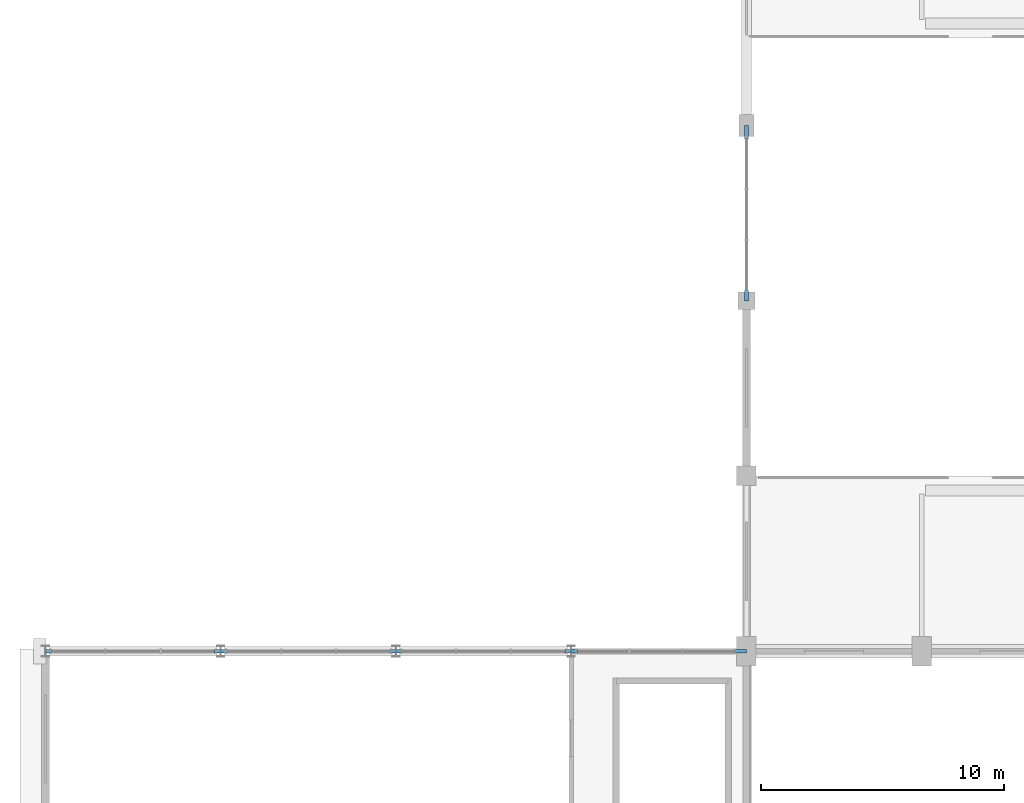
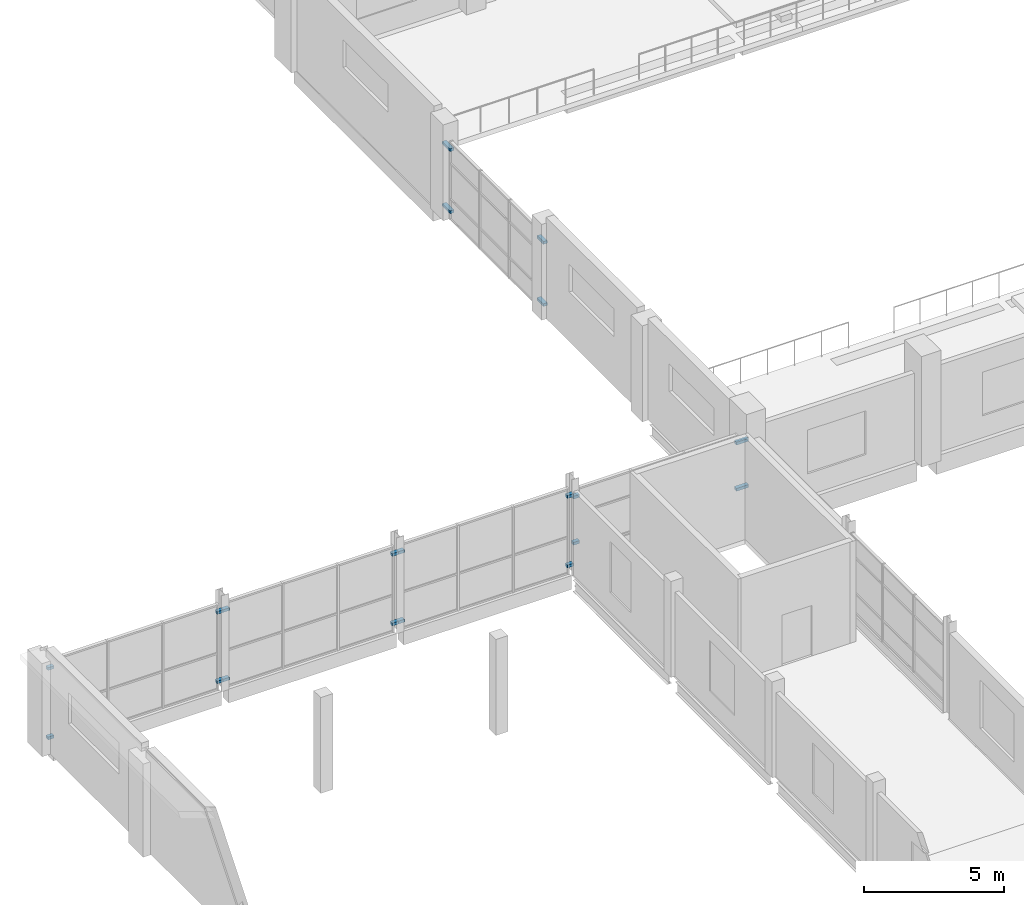
# One storey, part 56 of 71: 20 discrete accessories.
"""IFC4 building model written with IfcOpenShell, lengths in metres."""

from ifc_helpers import new_model, si_unit, direction, frame, origin, place, context, subcontext, project, spatial, rectangle, extrude, material, type_object, element, save


model = new_model("IFC4")

# Units and contexts
model_context = context("Model", 3, precision=1e-05, world=origin(), true_north=direction((0.0, 1.0)))
body_context = subcontext(model_context, "Body", "Model", "MODEL_VIEW")
ifc_project = project(units=[si_unit("LENGTHUNIT", "METRE"), si_unit("AREAUNIT", "SQUARE_METRE"), si_unit("VOLUMEUNIT", "CUBIC_METRE"), si_unit("PLANEANGLEUNIT", "RADIAN"), si_unit("MASSUNIT", "GRAM", prefix="KILO")], contexts=[model_context])

# Site, building, storey
site_placement = place(None, origin())
site = spatial("IfcSite", under=ifc_project, at=site_placement, CompositionType="ELEMENT")
building_placement = place(site_placement, origin())
building = spatial("IfcBuilding", under=site, at=building_placement, Name="Sardonyx Promenade Sports Hall", CompositionType="ELEMENT")
storey_placement = place(building_placement, frame((0.0, 0.0, 16.0)))
storey = spatial("IfcBuildingStorey", under=building, at=storey_placement, Name="L03", CompositionType="ELEMENT", Elevation=16.0)

# Discrete accessories
ifc_material = material(Name="Steel S355JR", Category="steel")
discrete_accessory_type = type_object("IfcDiscreteAccessoryType", Name="Acc_Bracket_S355", PredefinedType="BRACKET", material=ifc_material)
for number, where, z_axis, x_axis, name in (
    (1, (0.125, 72.0, 0.29), (0.0, 0.0, 1.0), (1.0, 0.0, 0.0), "Curtain-wall jamb bracket L03 #45"),
    (2, (0.125, 72.0, 3.31), (0.0, 0.0, 1.0), (1.0, 0.0, 0.0), "Curtain-wall jamb bracket L03 #46"),
    (3, (7.075, 72.0, 0.29), (0.0, 0.0, 1.0), (1.0, 0.0, 0.0), "Curtain-wall jamb bracket L03 #47"),
    (4, (7.075, 72.0, 3.31), (0.0, 0.0, 1.0), (1.0, 0.0, 0.0), "Curtain-wall jamb bracket L03 #48"),
    (5, (7.325, 72.0, 0.29), (0.0, 0.0, 1.0), (1.0, 0.0, 0.0), "Curtain-wall jamb bracket L03 #49"),
    (6, (7.325, 72.0, 3.31), (0.0, 0.0, 1.0), (1.0, 0.0, 0.0), "Curtain-wall jamb bracket L03 #50"),
    (7, (14.275, 72.0, 0.29), (0.0, 0.0, 1.0), (1.0, 0.0, 0.0), "Curtain-wall jamb bracket L03 #51"),
    (8, (14.275, 72.0, 3.31), (0.0, 0.0, 1.0), (1.0, 0.0, 0.0), "Curtain-wall jamb bracket L03 #52"),
    (9, (14.525, 72.0, 0.29), (0.0, 0.0, 1.0), (1.0, 0.0, 0.0), "Curtain-wall jamb bracket L03 #53"),
    (10, (14.525, 72.0, 3.31), (0.0, 0.0, 1.0), (1.0, 0.0, 0.0), "Curtain-wall jamb bracket L03 #54"),
    (11, (21.475, 72.0, 0.29), (0.0, 0.0, 1.0), (1.0, 0.0, 0.0), "Curtain-wall jamb bracket L03 #55"),
    (12, (21.475, 72.0, 3.31), (0.0, 0.0, 1.0), (1.0, 0.0, 0.0), "Curtain-wall jamb bracket L03 #56"),
    (13, (21.725, 72.0, 1.19), (0.0, 0.0, 1.0), (1.0, 0.0, 0.0), "Curtain-wall jamb bracket L03 #57"),
    (14, (21.725, 72.0, 3.195), (0.0, 0.0, 1.0), (1.0, 0.0, 0.0), "Curtain-wall jamb bracket L03 #58"),
):
    element("IfcDiscreteAccessory", number, at=place(storey_placement, frame(where, z_axis=z_axis, x_axis=x_axis)), inside=storey, type_object=discrete_accessory_type, material=ifc_material, Name=name, PredefinedType="BRACKET", context=body_context, shape_type="SweptSolid", body=[
        extrude(rectangle(XDim=0.25, YDim=0.16), origin(), (0.0, 0.0, 1.0), 0.12),
    ])
for number, where, z_axis, x_axis, name in (
    (15, (28.55, 72.0, 1.19), (0.0, 0.0, 1.0), (1.0, 0.0, 0.0), "Curtain-wall jamb bracket L03 #59"),
    (16, (28.55, 72.0, 3.195), (0.0, 0.0, 1.0), (1.0, 0.0, 0.0), "Curtain-wall jamb bracket L03 #60"),
):
    element("IfcDiscreteAccessory", number, at=place(storey_placement, frame(where, z_axis=z_axis, x_axis=x_axis)), inside=storey, type_object=discrete_accessory_type, material=ifc_material, Name=name, PredefinedType="BRACKET", context=body_context, shape_type="SweptSolid", body=[
        extrude(rectangle(XDim=0.5, YDim=0.16), origin(), (0.0, 0.0, 1.0), 0.12),
    ])
for number, where, z_axis, x_axis, name in (
    (17, (28.8, 86.625, 0.29), (0.0, 0.0, 1.0), (0.0, 1.0, 0.0), "Curtain-wall jamb bracket L03 #61"),
    (18, (28.8, 86.625, 2.99), (0.0, 0.0, 1.0), (0.0, 1.0, 0.0), "Curtain-wall jamb bracket L03 #62"),
):
    element("IfcDiscreteAccessory", number, at=place(storey_placement, frame(where, z_axis=z_axis, x_axis=x_axis)), inside=storey, type_object=discrete_accessory_type, material=ifc_material, Name=name, PredefinedType="BRACKET", context=body_context, shape_type="SweptSolid", body=[
        extrude(rectangle(XDim=0.45, YDim=0.16), origin(), (0.0, 0.0, 1.0), 0.12),
    ])
for number, where, z_axis, x_axis, name in (
    (19, (28.8, 93.325, 0.29), (0.0, 0.0, 1.0), (0.0, 1.0, 0.0), "Curtain-wall jamb bracket L03 #63"),
    (20, (28.8, 93.325, 2.99), (0.0, 0.0, 1.0), (0.0, 1.0, 0.0), "Curtain-wall jamb bracket L03 #64"),
):
    element("IfcDiscreteAccessory", number, at=place(storey_placement, frame(where, z_axis=z_axis, x_axis=x_axis)), inside=storey, type_object=discrete_accessory_type, material=ifc_material, Name=name, PredefinedType="BRACKET", context=body_context, shape_type="SweptSolid", body=[
        extrude(rectangle(XDim=0.55, YDim=0.16), origin(), (0.0, 0.0, 1.0), 0.12),
    ])

save(model, "model.ifc")
